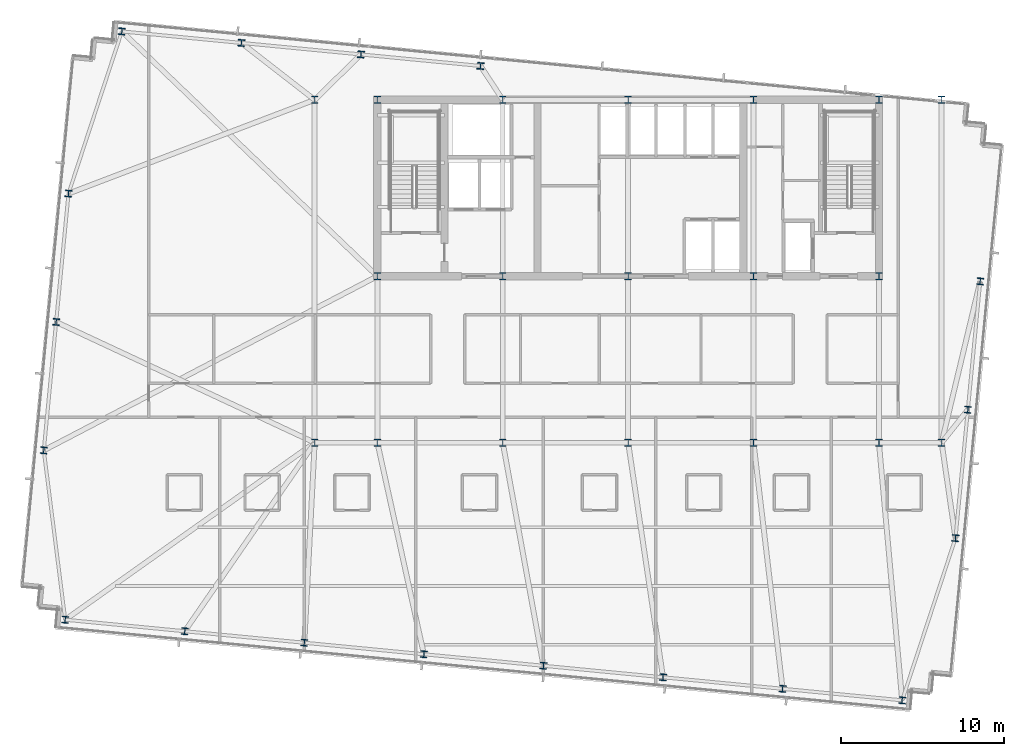
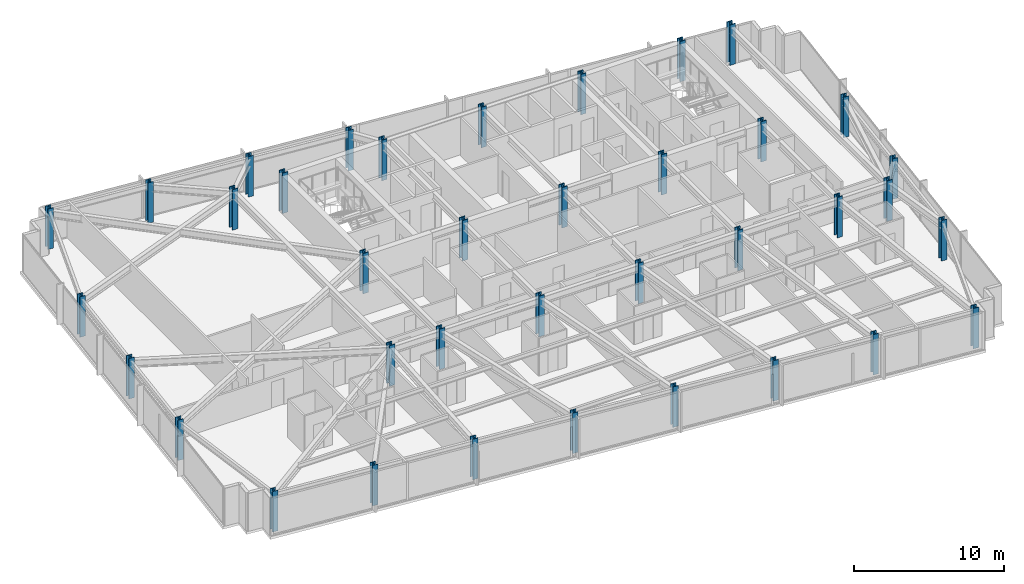
# One storey, part 1 of 37: 37 columns.
"""IFC4 building model written with IfcOpenShell, lengths in metres."""

from ifc_helpers import new_model, si_unit, direction, frame, origin, origin_2d, place, context, subcontext, project, spatial, i_section, extrude, material, material_profile, profile_set, type_object, element, save


model = new_model("IFC4")

# Units and contexts
model_context = context("Model", 3, precision=1e-05, world=origin(), true_north=direction((0.0, 1.0)))
body_context = subcontext(model_context, "Body", "Model", "MODEL_VIEW")
ifc_project = project(units=[si_unit("LENGTHUNIT", "METRE"), si_unit("AREAUNIT", "SQUARE_METRE"), si_unit("VOLUMEUNIT", "CUBIC_METRE"), si_unit("PLANEANGLEUNIT", "RADIAN"), si_unit("MASSUNIT", "GRAM", prefix="KILO")], contexts=[model_context])

# Site, building, storey
site_placement = place(None, origin())
site = spatial("IfcSite", under=ifc_project, at=site_placement, CompositionType="ELEMENT")
building_placement = place(site_placement, origin())
building = spatial("IfcBuilding", under=site, at=building_placement, Name="Yelkora Congress Tower", CompositionType="ELEMENT")
storey_placement = place(building_placement, frame((0.0, 0.0, 175.39990234375)))
storey = spatial("IfcBuildingStorey", under=building, at=storey_placement, Name="L48", CompositionType="ELEMENT", Elevation=175.39990234375)

# Columns
ifc_material = material(Name="Steel S460M", Category="steel")
ifc_material_profile_1 = material_profile(ifc_material, i_section(OverallWidth=0.406005859375, OverallDepth=0.416015625, WebThickness=0.02978515625, FlangeThickness=0.048095703125, FilletRadius=0.014892578125, at=origin_2d()), Name="HD 400x382")
ifc_profile_set_1 = profile_set([ifc_material_profile_1], Name="Steel S460M")
column_type_1 = type_object("IfcColumnType", Name="COL-HD-382-EXT", PredefinedType="COLUMN", material=ifc_profile_set_1)
for number, where, z_axis, x_axis, name in (
    (1, (3.919189453125, 14.357421875, 0.0), (0.0, 0.0, 1.0), (0.995396198367, -0.09584575252, 0.0), "L48 Perimeter Column S01"),
    (2, (11.242431640625, 13.652099609375, 0.0), (0.0, 0.0, 1.0), (0.995396198367, -0.09584575252, 0.0), "L48 Perimeter Column S02"),
    (3, (18.56591796875, 12.947021484375, 0.0), (0.0, 0.0, 1.0), (0.995396198367, -0.09584575252, 0.0), "L48 Perimeter Column S03"),
    (4, (25.888916015625, 12.24169921875, 0.0), (0.0, 0.0, 1.0), (0.995396198367, -0.09584575252, 0.0), "L48 Perimeter Column S04"),
    (5, (33.21240234375, 11.53662109375, 0.0), (0.0, 0.0, 1.0), (0.995396198367, -0.09584575252, 0.0), "L48 Perimeter Column S05"),
    (6, (40.53564453125, 10.83154296875, 0.0), (0.0, 0.0, 1.0), (0.995396198367, -0.09584575252, 0.0), "L48 Perimeter Column S06"),
    (7, (47.85888671875, 10.12646484375, 0.0), (0.0, 0.0, 1.0), (0.995396198367, -0.09584575252, 0.0), "L48 Perimeter Column S07"),
    (8, (55.18212890625, 9.421142578125, 0.0), (0.0, 0.0, 1.0), (0.995396198367, -0.09584575252, 0.0), "L48 Perimeter Column S08"),
    (9, (7.388916015625, 50.390625, 0.0), (0.0, 0.0, 1.0), (0.995396198367, -0.09584575252, 0.0), "L48 Perimeter Column N01"),
    (10, (14.712158203125, 49.685546875, 0.0), (0.0, 0.0, 1.0), (0.995396198367, -0.09584575252, 0.0), "L48 Perimeter Column N02"),
    (11, (22.035400390625, 48.980224609375, 0.0), (0.0, 0.0, 1.0), (0.995396198367, -0.09584575252, 0.0), "L48 Perimeter Column N03"),
    (12, (29.358642578125, 48.275146484375, 0.0), (0.0, 0.0, 1.0), (0.995396198367, -0.09584575252, 0.0), "L48 Perimeter Column N04"),
    (13, (2.607421875, 24.730712890625, 0.0), (0.0, 0.0, 1.0), (0.995396198367, -0.09584575252, 0.0), "L48 Perimeter Column W01"),
    (14, (58.44921875, 19.353759765625, 0.0), (0.0, 0.0, 1.0), (0.995396198367, -0.09584575252, 0.0), "L48 Perimeter Column E01"),
    (15, (3.364501953125, 32.594482421875, 0.0), (0.0, 0.0, 1.0), (0.995396198367, -0.09584575252, 0.0), "L48 Perimeter Column W02"),
    (16, (59.206298828125, 27.217529296875, 0.0), (0.0, 0.0, 1.0), (0.995396198367, -0.09584575252, 0.0), "L48 Perimeter Column E02"),
    (17, (4.121826171875, 40.4580078125, 0.0), (0.0, 0.0, 1.0), (0.995396198367, -0.09584575252, 0.0), "L48 Perimeter Column W03"),
    (18, (59.96337890625, 35.0810546875, 0.0), (0.0, 0.0, 1.0), (0.995396198367, -0.09584575252, 0.0), "L48 Perimeter Column E03"),
):
    element("IfcColumn", number, at=place(storey_placement, frame(where, z_axis=z_axis, x_axis=x_axis)), inside=storey, type_object=column_type_1, Name=name, PredefinedType="COLUMN", context=body_context, shape_type="SweptSolid", body=[
        extrude(i_section(OverallWidth=0.406005859375, OverallDepth=0.416015625, WebThickness=0.02978515625, FlangeThickness=0.048095703125, FilletRadius=0.014892578125, at=origin_2d()), origin(), (0.0, 0.0, 1.0), 3.300048828125),
    ])
ifc_material_profile_2 = material_profile(ifc_material, i_section(OverallWidth=0.41796875, OverallDepth=0.455078125, WebThickness=0.0419921875, FlangeThickness=0.068115234375, FilletRadius=0.014892578125, at=origin_2d()), Name="HD 400x551")
ifc_profile_set_2 = profile_set([ifc_material_profile_2], Name="Steel S460M")
column_type_2 = type_object("IfcColumnType", Name="COL-HD-551", PredefinedType="COLUMN", material=ifc_profile_set_2)
for number, where, z_axis, x_axis, name in (
    (19, (23.0400390625, 35.39990234375, 0.0), (0.0, 0.0, 1.0), (1.0, 0.0, 0.0), "L48 Mega Column MC-S1"),
    (20, (23.0400390625, 46.199951171875, 0.0), (0.0, 0.0, 1.0), (1.0, 0.0, 0.0), "L48 Mega Column MC-N1"),
    (21, (23.0400390625, 25.199951171875, 0.0), (0.0, 0.0, 1.0), (1.0, 0.0, 0.0), "L48 Mega Column MC-D1"),
    (22, (30.719970703125, 35.39990234375, 0.0), (0.0, 0.0, 1.0), (1.0, 0.0, 0.0), "L48 Mega Column MC-S2"),
    (23, (30.719970703125, 46.199951171875, 0.0), (0.0, 0.0, 1.0), (1.0, 0.0, 0.0), "L48 Mega Column MC-N2"),
    (24, (30.719970703125, 25.199951171875, 0.0), (0.0, 0.0, 1.0), (1.0, 0.0, 0.0), "L48 Mega Column MC-D2"),
    (25, (38.39990234375, 35.39990234375, 0.0), (0.0, 0.0, 1.0), (1.0, 0.0, 0.0), "L48 Mega Column MC-S3"),
    (26, (38.39990234375, 46.199951171875, 0.0), (0.0, 0.0, 1.0), (1.0, 0.0, 0.0), "L48 Mega Column MC-N3"),
    (27, (38.39990234375, 25.199951171875, 0.0), (0.0, 0.0, 1.0), (1.0, 0.0, 0.0), "L48 Mega Column MC-D3"),
    (28, (46.080078125, 35.39990234375, 0.0), (0.0, 0.0, 1.0), (1.0, 0.0, 0.0), "L48 Mega Column MC-S4"),
    (29, (46.080078125, 46.199951171875, 0.0), (0.0, 0.0, 1.0), (1.0, 0.0, 0.0), "L48 Mega Column MC-N4"),
    (30, (46.080078125, 25.199951171875, 0.0), (0.0, 0.0, 1.0), (1.0, 0.0, 0.0), "L48 Mega Column MC-D4"),
    (31, (53.760009765625, 35.39990234375, 0.0), (0.0, 0.0, 1.0), (1.0, 0.0, 0.0), "L48 Mega Column MC-S5"),
    (32, (53.760009765625, 46.199951171875, 0.0), (0.0, 0.0, 1.0), (1.0, 0.0, 0.0), "L48 Mega Column MC-N5"),
    (33, (53.760009765625, 25.199951171875, 0.0), (0.0, 0.0, 1.0), (1.0, 0.0, 0.0), "L48 Mega Column MC-D5"),
    (34, (19.199951171875, 25.199951171875, 0.0), (0.0, 0.0, 1.0), (1.0, 0.0, 0.0), "L48 Mega Column MC-F1"),
    (35, (57.60009765625, 25.199951171875, 0.0), (0.0, 0.0, 1.0), (1.0, 0.0, 0.0), "L48 Mega Column MC-F2"),
    (36, (19.199951171875, 46.199951171875, 0.0), (0.0, 0.0, 1.0), (1.0, 0.0, 0.0), "L48 Mega Column MC-F3"),
    (37, (57.60009765625, 46.199951171875, 0.0), (0.0, 0.0, 1.0), (1.0, 0.0, 0.0), "L48 Mega Column MC-F4"),
):
    element("IfcColumn", number, at=place(storey_placement, frame(where, z_axis=z_axis, x_axis=x_axis)), inside=storey, type_object=column_type_2, Name=name, PredefinedType="COLUMN", context=body_context, shape_type="SweptSolid", body=[
        extrude(i_section(OverallWidth=0.41796875, OverallDepth=0.455078125, WebThickness=0.0419921875, FlangeThickness=0.068115234375, FilletRadius=0.014892578125, at=origin_2d()), origin(), (0.0, 0.0, 1.0), 3.300048828125),
    ])

save(model, "model.ifc")
